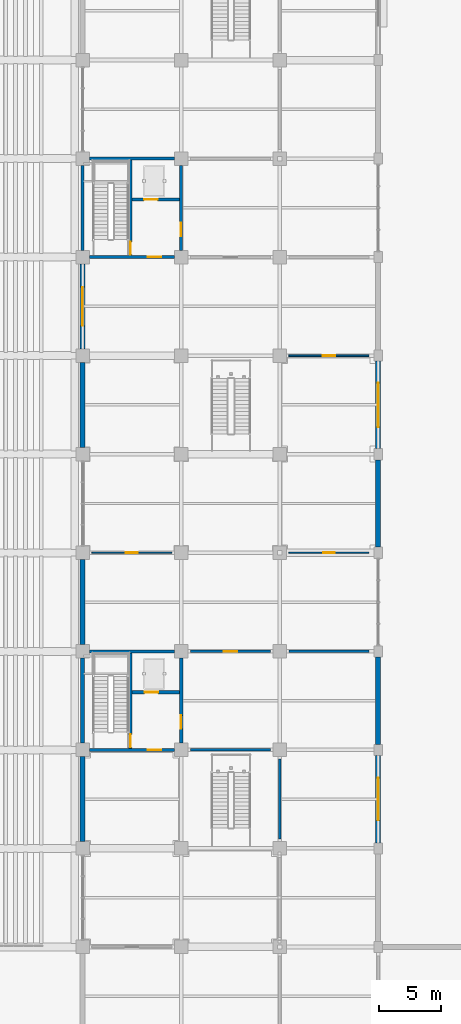
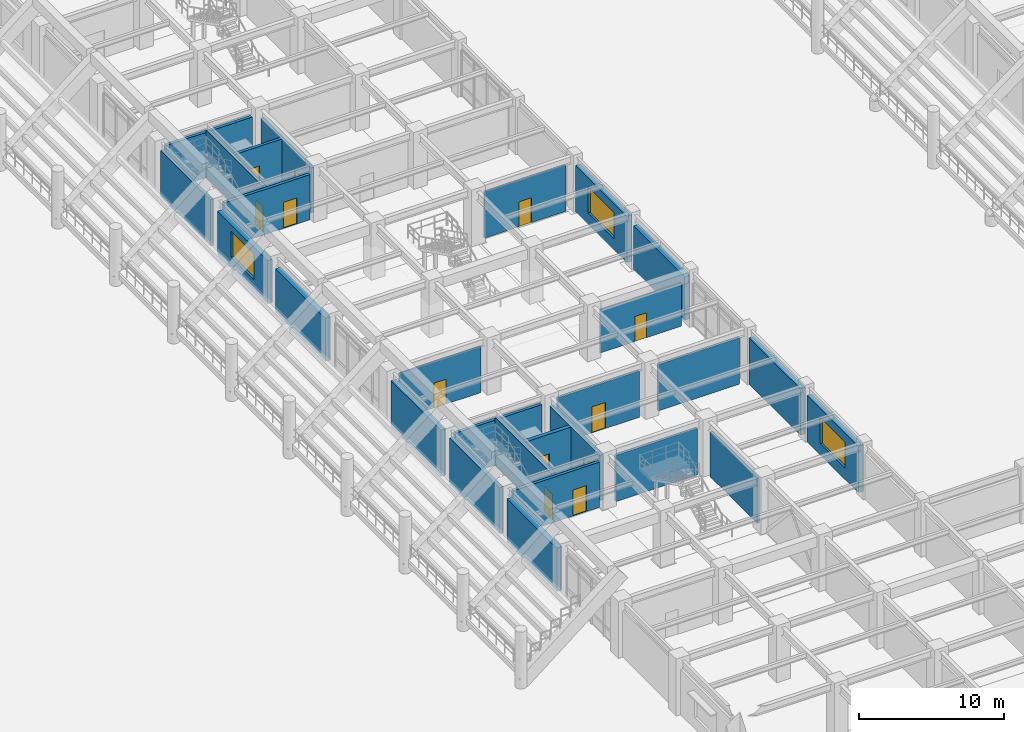
# One storey, part 84 of 125: 27 walls, 12 doors, 3 windows, 15 openings.
"""IFC4 building model written with IfcOpenShell, lengths in metres."""

from ifc_helpers import new_model, si_unit, direction, frame, frame_2d, origin, place, context, subcontext, project, spatial, rectangle, extrude, material, layer, layer_set, type_object, element, fill, save


model = new_model("IFC4")

# Units and contexts
model_context = context("Model", 3, precision=1e-05, world=origin(), true_north=direction((0.0, 1.0)))
body_context = subcontext(model_context, "Body", "Model", "MODEL_VIEW")
ifc_project = project(units=[si_unit("LENGTHUNIT", "METRE"), si_unit("AREAUNIT", "SQUARE_METRE"), si_unit("VOLUMEUNIT", "CUBIC_METRE"), si_unit("PLANEANGLEUNIT", "RADIAN"), si_unit("MASSUNIT", "GRAM", prefix="KILO")], contexts=[model_context])

# Site, building, storey
site_placement = place(None, origin())
site = spatial("IfcSite", under=ifc_project, at=site_placement, CompositionType="ELEMENT")
building_placement = place(site_placement, origin())
building = spatial("IfcBuilding", under=site, at=building_placement, Name="Haebicheon Civic Stadium", CompositionType="ELEMENT")
storey_placement = place(building_placement, origin())
storey = spatial("IfcBuildingStorey", under=building, at=storey_placement, Name="L01", CompositionType="ELEMENT", Elevation=0.0)

# Wall, opening, door
ifc_material_1 = material(Name="Concrete C40/50", Category="concrete")
ifc_layer_1 = layer(ifc_material_1, 0.239990234375, Name="Concrete C40/50")
ifc_layer_set_1 = layer_set([ifc_layer_1], Name="Concrete C40/50")
wall_type_1 = type_object("IfcWallType", Name="CW-SHR-240", PredefinedType="SHEAR", material=ifc_layer_set_1)
wall_1_placement = place(storey_placement, frame((144.550048828125, 64.0, 0.0), z_axis=(0.0, 0.0, 1.0), x_axis=(1.0, 0.0, 0.0)))
wall_1 = element("IfcWall", 1, at=wall_1_placement, inside=storey, type_object=wall_type_1, material=ifc_layer_set_1, Name="KC-10 L01 south core shear wall", PredefinedType="SHEAR", context=body_context, shape_type="SweptSolid", body=[
    extrude(rectangle(XDim=6.89990234375, YDim=0.239990234375, at=frame_2d((3.449951171875, 0.0))), origin(), (0.0, 0.0, 1.0), 3.81005859375),
])
opening_1_placement = place(wall_1_placement, frame((4.75, 0.0, 0.0)))
opening_1 = element("IfcOpeningElement", 2, at=opening_1_placement, cuts=wall_1, Name="Opening D-L01-KC-10-LOB", PredefinedType="OPENING", context=body_context, shape_type="SweptSolid", body=[
    extrude(rectangle(XDim=1.10009765625, YDim=2.199951171875, at=frame_2d((0.550048828125, 1.10009765625))), frame((0.0, 0.1298828125, 0.0), z_axis=(0.0, -1.0, 0.0), x_axis=(1.0, 0.0, 0.0)), (0.0, 0.0, 1.0), 0.260009765625),
])
ifc_material_2 = material(Name="Galvanised painted steel SM355", Category="steel")
door_type_1 = type_object("IfcDoorType", Name="ID-FD-1100", OperationType="NOTDEFINED", PredefinedType="DOOR", material=ifc_material_2)
door_1_placement = place(opening_1_placement, origin())
door_1 = element("IfcDoor", 3, at=door_1_placement, inside=storey, type_object=door_type_1, material=ifc_material_2, Name="L01 KC-10 lobby fire door", OperationType="SINGLE_SWING_RIGHT", OverallHeight=2.199951171875, OverallWidth=1.10009765625, PredefinedType="DOOR", context=body_context, shape_type="SweptSolid", body=[
    extrude(rectangle(XDim=1.10009765625, YDim=2.199951171875, at=frame_2d((0.550048828125, 1.10009765625))), frame((0.0, 0.02490234375, 0.0), z_axis=(0.0, -1.0, 0.0), x_axis=(1.0, 0.0, 0.0)), (0.0, 0.0, 1.0), 0.050048828125),
])
fill(opening_1, door_1)

# Wall
wall_2_placement = place(storey_placement, frame((144.550048828125, 72.0, 0.0), z_axis=(0.0, 0.0, 1.0), x_axis=(1.0, 0.0, 0.0)))
element("IfcWall", 4, at=wall_2_placement, inside=storey, type_object=wall_type_1, material=ifc_layer_set_1, Name="KC-10 L01 north core shear wall", PredefinedType="SHEAR", context=body_context, shape_type="SweptSolid", body=[
    extrude(rectangle(XDim=6.89990234375, YDim=0.239990234375, at=frame_2d((3.449951171875, 0.0))), origin(), (0.0, 0.0, 1.0), 3.81005859375),
])

# Wall, opening, door
wall_3_placement = place(storey_placement, frame((144.550048828125, 104.0, 0.0), z_axis=(0.0, 0.0, 1.0), x_axis=(1.0, 0.0, 0.0)))
wall_3 = element("IfcWall", 5, at=wall_3_placement, inside=storey, type_object=wall_type_1, material=ifc_layer_set_1, Name="KC-11 L01 south core shear wall", PredefinedType="SHEAR", context=body_context, shape_type="SweptSolid", body=[
    extrude(rectangle(XDim=6.89990234375, YDim=0.239990234375, at=frame_2d((3.449951171875, 0.0))), origin(), (0.0, 0.0, 1.0), 3.81005859375),
])
opening_2_placement = place(wall_3_placement, frame((4.75, 0.0, 0.0)))
opening_2 = element("IfcOpeningElement", 6, at=opening_2_placement, cuts=wall_3, Name="Opening D-L01-KC-11-LOB", PredefinedType="OPENING", context=body_context, shape_type="SweptSolid", body=[
    extrude(rectangle(XDim=1.10009765625, YDim=2.199951171875, at=frame_2d((0.550048828125, 1.10009765625))), frame((0.0, 0.1298828125, 0.0), z_axis=(0.0, -1.0, 0.0), x_axis=(1.0, 0.0, 0.0)), (0.0, 0.0, 1.0), 0.260009765625),
])
door_2_placement = place(opening_2_placement, origin())
door_2 = element("IfcDoor", 7, at=door_2_placement, inside=storey, type_object=door_type_1, material=ifc_material_2, Name="L01 KC-11 lobby fire door", OperationType="SINGLE_SWING_LEFT", OverallHeight=2.199951171875, OverallWidth=1.10009765625, PredefinedType="DOOR", context=body_context, shape_type="SweptSolid", body=[
    extrude(rectangle(XDim=1.10009765625, YDim=2.199951171875, at=frame_2d((0.550048828125, 1.10009765625))), frame((0.0, 0.02490234375, 0.0), z_axis=(0.0, -1.0, 0.0), x_axis=(1.0, 0.0, 0.0)), (0.0, 0.0, 1.0), 0.050048828125),
])
fill(opening_2, door_2)

# Walls
wall_4_placement = place(storey_placement, frame((144.550048828125, 112.0, 0.0), z_axis=(0.0, 0.0, 1.0), x_axis=(1.0, 0.0, 0.0)))
element("IfcWall", 8, at=wall_4_placement, inside=storey, type_object=wall_type_1, material=ifc_layer_set_1, Name="KC-11 L01 north core shear wall", PredefinedType="SHEAR", context=body_context, shape_type="SweptSolid", body=[
    extrude(rectangle(XDim=6.89990234375, YDim=0.239990234375, at=frame_2d((3.449951171875, 0.0))), origin(), (0.0, 0.0, 1.0), 3.81005859375),
])
wall_5_placement = place(storey_placement, frame((144.0, 104.550048828125, 0.0), z_axis=(0.0, 0.0, 1.0), x_axis=(0.0, 1.0, 0.0)))
element("IfcWall", 9, at=wall_5_placement, inside=storey, type_object=wall_type_1, material=ifc_layer_set_1, Name="KC-11 L01 west core shear wall", PredefinedType="SHEAR", context=body_context, shape_type="SweptSolid", body=[
    extrude(rectangle(XDim=6.89990234375, YDim=0.239990234375, at=frame_2d((3.449951171875, 0.0))), origin(), (0.0, 0.0, 1.0), 3.909912109375),
])

# Wall, opening, door
wall_6_placement = place(storey_placement, frame((152.0, 104.550048828125, 0.0), z_axis=(0.0, 0.0, 1.0), x_axis=(0.0, 1.0, 0.0)))
wall_6 = element("IfcWall", 10, at=wall_6_placement, inside=storey, type_object=wall_type_1, material=ifc_layer_set_1, Name="KC-11 L01 east core shear wall", PredefinedType="SHEAR", context=body_context, shape_type="SweptSolid", body=[
    extrude(rectangle(XDim=6.89990234375, YDim=0.239990234375, at=frame_2d((3.449951171875, 0.0))), origin(), (0.0, 0.0, 1.0), 3.81005859375),
])
opening_3_placement = place(wall_6_placement, frame((1.14990234375, 0.0, 0.0)))
opening_3 = element("IfcOpeningElement", 11, at=opening_3_placement, cuts=wall_6, Name="Opening D-L01-KC-11-PXP", PredefinedType="OPENING", context=body_context, shape_type="SweptSolid", body=[
    extrude(rectangle(XDim=1.10009765625, YDim=2.199951171875, at=frame_2d((0.550048828125, 1.10009765625))), frame((0.0, 0.1298828125, 0.0), z_axis=(0.0, -1.0, 0.0), x_axis=(1.0, 0.0, 0.0)), (0.0, 0.0, 1.0), 0.260009765625),
])
door_3_placement = place(opening_3_placement, origin())
door_3 = element("IfcDoor", 12, at=door_3_placement, inside=storey, type_object=door_type_1, material=ifc_material_2, Name="L01 KC-11 protected exit passage fire door", OperationType="SINGLE_SWING_RIGHT", OverallHeight=2.199951171875, OverallWidth=1.10009765625, PredefinedType="DOOR", context=body_context, shape_type="SweptSolid", body=[
    extrude(rectangle(XDim=1.10009765625, YDim=2.199951171875, at=frame_2d((0.550048828125, 1.10009765625))), frame((0.0, 0.02490234375, 0.0), z_axis=(0.0, -1.0, 0.0), x_axis=(1.0, 0.0, 0.0)), (0.0, 0.0, 1.0), 0.050048828125),
])
fill(opening_3, door_3)

wall_7_placement = place(storey_placement, frame((147.8798828125, 104.1201171875, 0.0), z_axis=(0.0, 0.0, 1.0), x_axis=(0.0, 1.0, 0.0)))
wall_7 = element("IfcWall", 13, at=wall_7_placement, inside=storey, type_object=wall_type_1, material=ifc_layer_set_1, Name="KC-11 L01 stair-lobby dividing shear wall", PredefinedType="SHEAR", context=body_context, shape_type="SweptSolid", body=[
    extrude(rectangle(XDim=7.759765625, YDim=0.239990234375, at=frame_2d((3.8798828125, 0.0))), origin(), (0.0, 0.0, 1.0), 4.010009765625),
])
opening_4_placement = place(wall_7_placement, frame((0.080078125, 0.0, 0.0)))
opening_4 = element("IfcOpeningElement", 14, at=opening_4_placement, cuts=wall_7, Name="Opening D-L01-KC-11-STR", PredefinedType="OPENING", context=body_context, shape_type="SweptSolid", body=[
    extrude(rectangle(XDim=1.050048828125, YDim=2.14990234375, at=frame_2d((0.52490234375, 1.074951171875))), frame((0.0, 0.1298828125, 0.0), z_axis=(0.0, -1.0, 0.0), x_axis=(1.0, 0.0, 0.0)), (0.0, 0.0, 1.0), 0.260009765625),
])
ifc_material_3 = material(Name="Galvanised painted steel SM355", Category="steel")
door_type_2 = type_object("IfcDoorType", Name="ID-FD-1050", OperationType="NOTDEFINED", PredefinedType="DOOR", material=ifc_material_3)
door_4_placement = place(opening_4_placement, origin())
door_4 = element("IfcDoor", 15, at=door_4_placement, inside=storey, type_object=door_type_2, material=ifc_material_3, Name="L01 ST-11 stairwell escape door", OperationType="SINGLE_SWING_LEFT", OverallHeight=2.14990234375, OverallWidth=1.050048828125, PredefinedType="DOOR", context=body_context, shape_type="SweptSolid", body=[
    extrude(rectangle(XDim=1.050048828125, YDim=2.14990234375, at=frame_2d((0.52490234375, 1.074951171875))), frame((0.0, 0.02490234375, 0.0), z_axis=(0.0, -1.0, 0.0), x_axis=(1.0, 0.0, 0.0)), (0.0, 0.0, 1.0), 0.050048828125),
])
fill(opening_4, door_4)

wall_8_placement = place(storey_placement, frame((148.0, 108.679931640625, 0.0), z_axis=(0.0, 0.0, 1.0), x_axis=(1.0, 0.0, 0.0)))
wall_8 = element("IfcWall", 16, at=wall_8_placement, inside=storey, type_object=wall_type_1, material=ifc_layer_set_1, Name="KC-11 L01 lift shaft front wall", PredefinedType="SHEAR", context=body_context, shape_type="SweptSolid", body=[
    extrude(rectangle(XDim=3.8798828125, YDim=0.239990234375, at=frame_2d((1.93994140625, 0.0))), origin(), (0.0, 0.0, 1.0), 3.81005859375),
])
opening_5_placement = place(wall_8_placement, frame((1.0, 0.0, 0.0)))
opening_5 = element("IfcOpeningElement", 17, at=opening_5_placement, cuts=wall_8, Name="Opening LD-08-L01", PredefinedType="OPENING", context=body_context, shape_type="SweptSolid", body=[
    extrude(rectangle(XDim=1.10009765625, YDim=2.14990234375, at=frame_2d((0.550048828125, 1.074951171875))), frame((0.0, 0.1298828125, 0.0), z_axis=(0.0, -1.0, 0.0), x_axis=(1.0, 0.0, 0.0)), (0.0, 0.0, 1.0), 0.260009765625),
])
ifc_material_4 = material(Name="Stainless steel 316", Category="steel")
door_type_3 = type_object("IfcDoorType", Name="ID-LD-1100", OperationType="NOTDEFINED", PredefinedType="DOOR", material=ifc_material_4)
door_5_placement = place(opening_5_placement, origin())
door_5 = element("IfcDoor", 18, at=door_5_placement, inside=storey, type_object=door_type_3, material=ifc_material_4, Name="LF-08 lift landing sliding door L01", OperationType="SLIDING_TO_LEFT", OverallHeight=2.14990234375, OverallWidth=1.10009765625, PredefinedType="DOOR", context=body_context, shape_type="SweptSolid", body=[
    extrude(rectangle(XDim=1.10009765625, YDim=2.14990234375, at=frame_2d((0.550048828125, 1.074951171875))), frame((0.0, 0.02490234375, 0.0), z_axis=(0.0, -1.0, 0.0), x_axis=(1.0, 0.0, 0.0)), (0.0, 0.0, 1.0), 0.050048828125),
])
fill(opening_5, door_5)

# Wall
ifc_material_5 = material(Name="Concrete C40/50", Category="concrete")
ifc_layer_2 = layer(ifc_material_5, 0.300048828125, Name="Concrete C40/50")
ifc_layer_set_2 = layer_set([ifc_layer_2], Name="Concrete C40/50")
wall_type_2 = type_object("IfcWallType", Name="CW-SHR-300", PredefinedType="SHEAR", material=ifc_layer_set_2)
wall_9_placement = place(storey_placement, frame((144.0, 64.550048828125, 0.0), z_axis=(0.0, 0.0, 1.0), x_axis=(0.0, 1.0, 0.0)))
element("IfcWall", 19, at=wall_9_placement, inside=storey, type_object=wall_type_2, material=ifc_layer_set_2, Name="KC-10 L01 west core shear wall", PredefinedType="SHEAR", context=body_context, shape_type="SweptSolid", body=[
    extrude(rectangle(XDim=6.89990234375, YDim=0.300048828125, at=frame_2d((3.449951171875, 0.0))), origin(), (0.0, 0.0, 1.0), 3.909912109375),
])

# Wall, opening, door
wall_10_placement = place(storey_placement, frame((152.0, 64.550048828125, 0.0), z_axis=(0.0, 0.0, 1.0), x_axis=(0.0, 1.0, 0.0)))
wall_10 = element("IfcWall", 20, at=wall_10_placement, inside=storey, type_object=wall_type_2, material=ifc_layer_set_2, Name="KC-10 L01 east core shear wall", PredefinedType="SHEAR", context=body_context, shape_type="SweptSolid", body=[
    extrude(rectangle(XDim=6.89990234375, YDim=0.300048828125, at=frame_2d((3.449951171875, 0.0))), origin(), (0.0, 0.0, 1.0), 3.81005859375),
])
opening_6_placement = place(wall_10_placement, frame((1.14990234375, 0.0, 0.0)))
opening_6 = element("IfcOpeningElement", 21, at=opening_6_placement, cuts=wall_10, Name="Opening D-L01-KC-10-PXP", PredefinedType="OPENING", context=body_context, shape_type="SweptSolid", body=[
    extrude(rectangle(XDim=1.10009765625, YDim=2.199951171875, at=frame_2d((0.550048828125, 1.10009765625))), frame((0.0, 0.159912109375, 0.0), z_axis=(0.0, -1.0, 0.0), x_axis=(1.0, 0.0, 0.0)), (0.0, 0.0, 1.0), 0.320068359375),
])
door_6_placement = place(opening_6_placement, origin())
door_6 = element("IfcDoor", 22, at=door_6_placement, inside=storey, type_object=door_type_1, material=ifc_material_2, Name="L01 KC-10 protected exit passage fire door", OperationType="SINGLE_SWING_LEFT", OverallHeight=2.199951171875, OverallWidth=1.10009765625, PredefinedType="DOOR", context=body_context, shape_type="SweptSolid", body=[
    extrude(rectangle(XDim=1.10009765625, YDim=2.199951171875, at=frame_2d((0.550048828125, 1.10009765625))), frame((0.0, 0.02490234375, 0.0), z_axis=(0.0, -1.0, 0.0), x_axis=(1.0, 0.0, 0.0)), (0.0, 0.0, 1.0), 0.050048828125),
])
fill(opening_6, door_6)

wall_11_placement = place(storey_placement, frame((147.8798828125, 64.1201171875, 0.0), z_axis=(0.0, 0.0, 1.0), x_axis=(0.0, 1.0, 0.0)))
wall_11 = element("IfcWall", 23, at=wall_11_placement, inside=storey, type_object=wall_type_2, material=ifc_layer_set_2, Name="KC-10 L01 stair-lobby dividing shear wall", PredefinedType="SHEAR", context=body_context, shape_type="SweptSolid", body=[
    extrude(rectangle(XDim=7.759765625, YDim=0.300048828125, at=frame_2d((3.8798828125, 0.0))), origin(), (0.0, 0.0, 1.0), 4.010009765625),
])
opening_7_placement = place(wall_11_placement, frame((0.080078125, 0.0, 0.0)))
opening_7 = element("IfcOpeningElement", 24, at=opening_7_placement, cuts=wall_11, Name="Opening D-L01-KC-10-STR", PredefinedType="OPENING", context=body_context, shape_type="SweptSolid", body=[
    extrude(rectangle(XDim=1.050048828125, YDim=2.14990234375, at=frame_2d((0.52490234375, 1.074951171875))), frame((0.0, 0.159912109375, 0.0), z_axis=(0.0, -1.0, 0.0), x_axis=(1.0, 0.0, 0.0)), (0.0, 0.0, 1.0), 0.320068359375),
])
door_7_placement = place(opening_7_placement, origin())
door_7 = element("IfcDoor", 25, at=door_7_placement, inside=storey, type_object=door_type_2, material=ifc_material_3, Name="L01 ST-10 stairwell escape door", OperationType="SINGLE_SWING_RIGHT", OverallHeight=2.14990234375, OverallWidth=1.050048828125, PredefinedType="DOOR", context=body_context, shape_type="SweptSolid", body=[
    extrude(rectangle(XDim=1.050048828125, YDim=2.14990234375, at=frame_2d((0.52490234375, 1.074951171875))), frame((0.0, 0.02490234375, 0.0), z_axis=(0.0, -1.0, 0.0), x_axis=(1.0, 0.0, 0.0)), (0.0, 0.0, 1.0), 0.050048828125),
])
fill(opening_7, door_7)

wall_12_placement = place(storey_placement, frame((148.030029296875, 68.679931640625, 0.0), z_axis=(0.0, 0.0, 1.0), x_axis=(1.0, 0.0, 0.0)))
wall_12 = element("IfcWall", 26, at=wall_12_placement, inside=storey, type_object=wall_type_2, material=ifc_layer_set_2, Name="KC-10 L01 lift shaft front wall", PredefinedType="SHEAR", context=body_context, shape_type="SweptSolid", body=[
    extrude(rectangle(XDim=3.820068359375, YDim=0.300048828125, at=frame_2d((1.91015625, 0.0))), origin(), (0.0, 0.0, 1.0), 3.81005859375),
])
opening_8_placement = place(wall_12_placement, frame((1.0, 0.0, 0.0)))
opening_8 = element("IfcOpeningElement", 27, at=opening_8_placement, cuts=wall_12, Name="Opening LD-07-L01", PredefinedType="OPENING", context=body_context, shape_type="SweptSolid", body=[
    extrude(rectangle(XDim=1.10009765625, YDim=2.14990234375, at=frame_2d((0.550048828125, 1.074951171875))), frame((0.0, 0.159912109375, 0.0), z_axis=(0.0, -1.0, 0.0), x_axis=(1.0, 0.0, 0.0)), (0.0, 0.0, 1.0), 0.320068359375),
])
door_8_placement = place(opening_8_placement, origin())
door_8 = element("IfcDoor", 28, at=door_8_placement, inside=storey, type_object=door_type_3, material=ifc_material_4, Name="LF-07 lift landing sliding door L01", OperationType="SLIDING_TO_LEFT", OverallHeight=2.14990234375, OverallWidth=1.10009765625, PredefinedType="DOOR", context=body_context, shape_type="SweptSolid", body=[
    extrude(rectangle(XDim=1.10009765625, YDim=2.14990234375, at=frame_2d((0.550048828125, 1.074951171875))), frame((0.0, 0.02490234375, 0.0), z_axis=(0.0, -1.0, 0.0), x_axis=(1.0, 0.0, 0.0)), (0.0, 0.0, 1.0), 0.050048828125),
])
fill(opening_8, door_8)

# Walls
ifc_material_6 = material(Name="Concrete C40/50", Category="concrete")
ifc_layer_3 = layer(ifc_material_6, 0.39990234375, Name="Concrete C40/50")
ifc_layer_set_3 = layer_set([ifc_layer_3], Name="Concrete C40/50")
wall_type_3 = type_object("IfcWallType", Name="EW-BM-400", PredefinedType="SOLIDWALL", material=ifc_layer_set_3)
wall_13_placement = place(storey_placement, frame((144.0, 56.550048828125, 0.0), z_axis=(0.0, 0.0, 1.0), x_axis=(0.0, 1.0, 0.0)))
element("IfcWall", 29, at=wall_13_placement, inside=storey, type_object=wall_type_3, material=ifc_layer_set_3, Name="L01 board-marked concrete facade wall 18-07-W", PredefinedType="SOLIDWALL", context=body_context, shape_type="SweptSolid", body=[
    extrude(rectangle(XDim=6.89990234375, YDim=0.39990234375, at=frame_2d((3.449951171875, 0.0))), origin(), (0.0, 0.0, 1.0), 3.659912109375),
])
wall_14_placement = place(storey_placement, frame((144.0, 72.550048828125, 0.0), z_axis=(0.0, 0.0, 1.0), x_axis=(0.0, 1.0, 0.0)))
element("IfcWall", 30, at=wall_14_placement, inside=storey, type_object=wall_type_3, material=ifc_layer_set_3, Name="L01 board-marked concrete facade wall 18-09-W", PredefinedType="SOLIDWALL", context=body_context, shape_type="SweptSolid", body=[
    extrude(rectangle(XDim=6.89990234375, YDim=0.39990234375, at=frame_2d((3.449951171875, 0.0))), origin(), (0.0, 0.0, 1.0), 3.909912109375),
])
wall_15_placement = place(storey_placement, frame((144.0, 88.550048828125, 0.0), z_axis=(0.0, 0.0, 1.0), x_axis=(0.0, 1.0, 0.0)))
element("IfcWall", 31, at=wall_15_placement, inside=storey, type_object=wall_type_3, material=ifc_layer_set_3, Name="L01 board-marked concrete facade wall 18-11-W", PredefinedType="SOLIDWALL", context=body_context, shape_type="SweptSolid", body=[
    extrude(rectangle(XDim=6.89990234375, YDim=0.39990234375, at=frame_2d((3.449951171875, 0.0))), origin(), (0.0, 0.0, 1.0), 3.659912109375),
])

# Wall, opening, window
wall_16_placement = place(storey_placement, frame((144.0, 96.550048828125, 0.0), z_axis=(0.0, 0.0, 1.0), x_axis=(0.0, 1.0, 0.0)))
wall_16 = element("IfcWall", 32, at=wall_16_placement, inside=storey, type_object=wall_type_3, material=ifc_layer_set_3, Name="L01 board-marked concrete facade wall 18-12-W", PredefinedType="SOLIDWALL", context=body_context, shape_type="SweptSolid", body=[
    extrude(rectangle(XDim=6.89990234375, YDim=0.39990234375, at=frame_2d((3.449951171875, 0.0))), origin(), (0.0, 0.0, 1.0), 3.659912109375),
])
opening_9_placement = place(wall_16_placement, frame((1.875, 0.0, 0.949951171875)))
opening_9 = element("IfcOpeningElement", 33, at=opening_9_placement, cuts=wall_16, Name="Opening WIN-315x215", PredefinedType="OPENING", context=body_context, shape_type="SweptSolid", body=[
    extrude(rectangle(XDim=3.14990234375, YDim=2.14990234375, at=frame_2d((1.574951171875, 1.074951171875))), frame((0.0, 0.2099609375, 0.0), z_axis=(0.0, -1.0, 0.0), x_axis=(1.0, 0.0, 0.0)), (0.0, 0.0, 1.0), 0.419921875),
])
ifc_material_7 = material(Name="Anodised aluminium and laminated glass", Category="aluminium")
window_type_1 = type_object("IfcWindowType", Name="WIN-315x215", PartitioningType="SINGLE_PANEL", PredefinedType="WINDOW", material=ifc_material_7)
window_1_placement = place(opening_9_placement, origin())
window_1 = element("IfcWindow", 34, at=window_1_placement, inside=storey, type_object=window_type_1, material=ifc_material_7, Name="L01 facade window 016", OverallHeight=2.14990234375, OverallWidth=3.14990234375, PartitioningType="SINGLE_PANEL", PredefinedType="WINDOW", context=body_context, shape_type="SweptSolid", body=[
    extrude(rectangle(XDim=3.14990234375, YDim=2.14990234375, at=frame_2d((1.574951171875, 1.074951171875))), frame((0.0, 0.030029296875, 0.0), z_axis=(0.0, -1.0, 0.0), x_axis=(1.0, 0.0, 0.0)), (0.0, 0.0, 1.0), 0.06005859375),
])
fill(opening_9, window_1)

wall_17_placement = place(storey_placement, frame((168.0, 56.449951171875, 0.0), z_axis=(0.0, 0.0, 1.0), x_axis=(0.0, 1.0, 0.0)))
wall_17 = element("IfcWall", 35, at=wall_17_placement, inside=storey, type_object=wall_type_3, material=ifc_layer_set_3, Name="L01 board-marked concrete facade wall 21-07-E", PredefinedType="SOLIDWALL", context=body_context, shape_type="SweptSolid", body=[
    extrude(rectangle(XDim=7.10009765625, YDim=0.39990234375, at=frame_2d((3.550048828125, 0.0))), origin(), (0.0, 0.0, 1.0), 3.909912109375),
])
opening_10_placement = place(wall_17_placement, frame((1.824951171875, 0.0, 0.949951171875)))
opening_10 = element("IfcOpeningElement", 36, at=opening_10_placement, cuts=wall_17, Name="Opening WIN-345x220", PredefinedType="OPENING", context=body_context, shape_type="SweptSolid", body=[
    extrude(rectangle(XDim=3.449951171875, YDim=2.199951171875, at=frame_2d((1.72509765625, 1.10009765625))), frame((0.0, 0.2099609375, 0.0), z_axis=(0.0, -1.0, 0.0), x_axis=(1.0, 0.0, 0.0)), (0.0, 0.0, 1.0), 0.419921875),
])
ifc_material_8 = material(Name="Anodised aluminium and laminated glass", Category="aluminium")
window_type_2 = type_object("IfcWindowType", Name="WIN-345x220", PartitioningType="SINGLE_PANEL", PredefinedType="WINDOW", material=ifc_material_8)
window_2_placement = place(opening_10_placement, origin())
window_2 = element("IfcWindow", 37, at=window_2_placement, inside=storey, type_object=window_type_2, material=ifc_material_8, Name="L01 facade window 018", OverallHeight=2.199951171875, OverallWidth=3.449951171875, PartitioningType="SINGLE_PANEL", PredefinedType="WINDOW", context=body_context, shape_type="SweptSolid", body=[
    extrude(rectangle(XDim=3.449951171875, YDim=2.199951171875, at=frame_2d((1.72509765625, 1.10009765625))), frame((0.0, 0.030029296875, 0.0), z_axis=(0.0, -1.0, 0.0), x_axis=(1.0, 0.0, 0.0)), (0.0, 0.0, 1.0), 0.06005859375),
])
fill(opening_10, window_2)

# Walls
wall_18_placement = place(storey_placement, frame((168.0, 64.449951171875, 0.0), z_axis=(0.0, 0.0, 1.0), x_axis=(0.0, 1.0, 0.0)))
element("IfcWall", 38, at=wall_18_placement, inside=storey, type_object=wall_type_3, material=ifc_layer_set_3, Name="L01 board-marked concrete facade wall 21-08-E", PredefinedType="SOLIDWALL", context=body_context, shape_type="SweptSolid", body=[
    extrude(rectangle(XDim=7.10009765625, YDim=0.39990234375, at=frame_2d((3.550048828125, 0.0))), origin(), (0.0, 0.0, 1.0), 3.909912109375),
])
wall_19_placement = place(storey_placement, frame((168.0, 80.449951171875, 0.0), z_axis=(0.0, 0.0, 1.0), x_axis=(0.0, 1.0, 0.0)))
element("IfcWall", 39, at=wall_19_placement, inside=storey, type_object=wall_type_3, material=ifc_layer_set_3, Name="L01 board-marked concrete facade wall 21-10-E", PredefinedType="SOLIDWALL", context=body_context, shape_type="SweptSolid", body=[
    extrude(rectangle(XDim=7.10009765625, YDim=0.39990234375, at=frame_2d((3.550048828125, 0.0))), origin(), (0.0, 0.0, 1.0), 3.659912109375),
])

# Wall, opening, window
wall_20_placement = place(storey_placement, frame((168.0, 88.449951171875, 0.0), z_axis=(0.0, 0.0, 1.0), x_axis=(0.0, 1.0, 0.0)))
wall_20 = element("IfcWall", 40, at=wall_20_placement, inside=storey, type_object=wall_type_3, material=ifc_layer_set_3, Name="L01 board-marked concrete facade wall 21-11-E", PredefinedType="SOLIDWALL", context=body_context, shape_type="SweptSolid", body=[
    extrude(rectangle(XDim=7.10009765625, YDim=0.39990234375, at=frame_2d((3.550048828125, 0.0))), origin(), (0.0, 0.0, 1.0), 3.909912109375),
])
opening_11_placement = place(wall_20_placement, frame((1.75, 0.0, 0.949951171875)))
opening_11 = element("IfcOpeningElement", 41, at=opening_11_placement, cuts=wall_20, Name="Opening WIN-360x220", PredefinedType="OPENING", context=body_context, shape_type="SweptSolid", body=[
    extrude(rectangle(XDim=3.60009765625, YDim=2.199951171875, at=frame_2d((1.800048828125, 1.10009765625))), frame((0.0, 0.2099609375, 0.0), z_axis=(0.0, -1.0, 0.0), x_axis=(1.0, 0.0, 0.0)), (0.0, 0.0, 1.0), 0.419921875),
])
ifc_material_9 = material(Name="Anodised aluminium and laminated glass", Category="aluminium")
window_type_3 = type_object("IfcWindowType", Name="WIN-360x220", PartitioningType="SINGLE_PANEL", PredefinedType="WINDOW", material=ifc_material_9)
window_3_placement = place(opening_11_placement, origin())
window_3 = element("IfcWindow", 42, at=window_3_placement, inside=storey, type_object=window_type_3, material=ifc_material_9, Name="L01 facade window 019", OverallHeight=2.199951171875, OverallWidth=3.60009765625, PartitioningType="SINGLE_PANEL", PredefinedType="WINDOW", context=body_context, shape_type="SweptSolid", body=[
    extrude(rectangle(XDim=3.60009765625, YDim=2.199951171875, at=frame_2d((1.800048828125, 1.10009765625))), frame((0.0, 0.030029296875, 0.0), z_axis=(0.0, -1.0, 0.0), x_axis=(1.0, 0.0, 0.0)), (0.0, 0.0, 1.0), 0.06005859375),
])
fill(opening_11, window_3)

# Wall
ifc_material_10 = material(Name="Concrete C35/45", Category="concrete")
ifc_layer_4 = layer(ifc_material_10, 0.199951171875, Name="Concrete C35/45")
ifc_layer_set_4 = layer_set([ifc_layer_4], Name="Concrete C35/45")
wall_type_4 = type_object("IfcWallType", Name="IW-FIR-200", PredefinedType="PARTITIONING", material=ifc_layer_set_4)
wall_21_placement = place(storey_placement, frame((152.75, 64.0, 0.0), z_axis=(0.0, 0.0, 1.0), x_axis=(1.0, 0.0, 0.0)))
element("IfcWall", 43, at=wall_21_placement, inside=storey, type_object=wall_type_4, material=ifc_layer_set_4, Name="L01 KC-10 protected exit passage EI 120 wall 01", PredefinedType="PARTITIONING", context=body_context, shape_type="SweptSolid", body=[
    extrude(rectangle(XDim=6.5, YDim=0.199951171875, at=frame_2d((3.25, 0.0))), origin(), (0.0, 0.0, 1.0), 3.909912109375),
])

# Wall, opening, door
wall_22_placement = place(storey_placement, frame((152.75, 72.0, 0.0), z_axis=(0.0, 0.0, 1.0), x_axis=(1.0, 0.0, 0.0)))
wall_22 = element("IfcWall", 44, at=wall_22_placement, inside=storey, type_object=wall_type_4, material=ifc_layer_set_4, Name="L01 KC-10 protected exit passage EI 120 wall 02", PredefinedType="PARTITIONING", context=body_context, shape_type="SweptSolid", body=[
    extrude(rectangle(XDim=6.5, YDim=0.199951171875, at=frame_2d((3.25, 0.0))), origin(), (0.0, 0.0, 1.0), 3.909912109375),
])
opening_12_placement = place(wall_22_placement, frame((2.699951171875, 0.0, 0.0)))
opening_12 = element("IfcOpeningElement", 45, at=opening_12_placement, cuts=wall_22, Name="Opening D-L01-PXP-14", PredefinedType="OPENING", context=body_context, shape_type="SweptSolid", body=[
    extrude(rectangle(XDim=1.10009765625, YDim=2.199951171875, at=frame_2d((0.550048828125, 1.10009765625))), frame((0.0, 0.10986328125, 0.0), z_axis=(0.0, -1.0, 0.0), x_axis=(1.0, 0.0, 0.0)), (0.0, 0.0, 1.0), 0.219970703125),
])
door_9_placement = place(opening_12_placement, origin())
door_9 = element("IfcDoor", 46, at=door_9_placement, inside=storey, type_object=door_type_1, material=ifc_material_2, Name="L01 KC-10 protected exit passage lobby fire door", OperationType="SINGLE_SWING_RIGHT", OverallHeight=2.199951171875, OverallWidth=1.10009765625, PredefinedType="DOOR", context=body_context, shape_type="SweptSolid", body=[
    extrude(rectangle(XDim=1.10009765625, YDim=2.199951171875, at=frame_2d((0.550048828125, 1.10009765625))), frame((0.0, 0.02490234375, 0.0), z_axis=(0.0, -1.0, 0.0), x_axis=(1.0, 0.0, 0.0)), (0.0, 0.0, 1.0), 0.050048828125),
])
fill(opening_12, door_9)

# Walls
wall_23_placement = place(storey_placement, frame((160.0, 56.75, 0.0), z_axis=(0.0, 0.0, 1.0), x_axis=(0.0, 1.0, 0.0)))
element("IfcWall", 47, at=wall_23_placement, inside=storey, type_object=wall_type_4, material=ifc_layer_set_4, Name="L01 KC-10 protected exit passage EI 120 wall 15", PredefinedType="PARTITIONING", context=body_context, shape_type="SweptSolid", body=[
    extrude(rectangle(XDim=6.5, YDim=0.199951171875, at=frame_2d((3.25, 0.0))), origin(), (0.0, 0.0, 1.0), 3.81005859375),
])
wall_24_placement = place(storey_placement, frame((160.75, 72.0, 0.0), z_axis=(0.0, 0.0, 1.0), x_axis=(1.0, 0.0, 0.0)))
element("IfcWall", 48, at=wall_24_placement, inside=storey, type_object=wall_type_4, material=ifc_layer_set_4, Name="L01 KC-10 protected exit passage EI 120 wall 16", PredefinedType="PARTITIONING", context=body_context, shape_type="SweptSolid", body=[
    extrude(rectangle(XDim=6.5, YDim=0.199951171875, at=frame_2d((3.25, 0.0))), origin(), (0.0, 0.0, 1.0), 3.909912109375),
])

# Wall, opening, door
ifc_material_11 = material(Name="Anodised aluminium acoustic panel", Category="aluminium")
ifc_layer_5 = layer(ifc_material_11, 0.139892578125, Name="Anodised aluminium acoustic panel")
ifc_layer_set_5 = layer_set([ifc_layer_5], Name="Anodised aluminium acoustic panel")
wall_type_5 = type_object("IfcWallType", Name="IW-MOV-140", PredefinedType="MOVABLE", material=ifc_layer_set_5)
wall_25_placement = place(storey_placement, frame((160.75, 96.0, 0.0), z_axis=(0.0, 0.0, 1.0), x_axis=(1.0, 0.0, 0.0)))
wall_25 = element("IfcWall", 49, at=wall_25_placement, inside=storey, type_object=wall_type_5, material=ifc_layer_set_5, Name="L01 Civic Sports Exhibition Gallery partition wall", PredefinedType="MOVABLE", context=body_context, shape_type="SweptSolid", body=[
    extrude(rectangle(XDim=6.5, YDim=0.139892578125, at=frame_2d((3.25, 0.0))), origin(), (0.0, 0.0, 1.0), 3.909912109375),
])
opening_13_placement = place(wall_25_placement, frame((2.75, 0.0, 0.0)))
opening_13 = element("IfcOpeningElement", 50, at=opening_13_placement, cuts=wall_25, Name="Opening D-L01-156", PredefinedType="OPENING", context=body_context, shape_type="SweptSolid", body=[
    extrude(rectangle(XDim=1.0, YDim=2.10009765625, at=frame_2d((0.5, 1.050048828125))), frame((0.0, 0.079833984375, 0.0), z_axis=(0.0, -1.0, 0.0), x_axis=(1.0, 0.0, 0.0)), (0.0, 0.0, 1.0), 0.159912109375),
])
ifc_material_12 = material(Name="Engineered hardwood timber", Category="wood")
door_type_4 = type_object("IfcDoorType", Name="ID-RM-1000", OperationType="NOTDEFINED", PredefinedType="DOOR", material=ifc_material_12)
door_10_placement = place(opening_13_placement, origin())
door_10 = element("IfcDoor", 51, at=door_10_placement, inside=storey, type_object=door_type_4, material=ifc_material_12, Name="L01 Civic Sports Exhibition Gallery entrance door D-L01-156", OperationType="SINGLE_SWING_LEFT", OverallHeight=2.10009765625, OverallWidth=1.0, PredefinedType="DOOR", context=body_context, shape_type="SweptSolid", body=[
    extrude(rectangle(XDim=1.0, YDim=2.10009765625, at=frame_2d((0.5, 1.050048828125))), frame((0.0, 0.02490234375, 0.0), z_axis=(0.0, -1.0, 0.0), x_axis=(1.0, 0.0, 0.0)), (0.0, 0.0, 1.0), 0.050048828125),
])
fill(opening_13, door_10)

ifc_material_13 = material(Name="Anodised aluminium and laminated glass", Category="aluminium")
ifc_layer_6 = layer(ifc_material_13, 0.10009765625, Name="Anodised aluminium and laminated glass")
ifc_layer_set_6 = layer_set([ifc_layer_6], Name="Anodised aluminium and laminated glass")
wall_type_6 = type_object("IfcWallType", Name="IW-PRT-100", PredefinedType="PARTITIONING", material=ifc_layer_set_6)
wall_26_placement = place(storey_placement, frame((144.75, 80.0, 0.0), z_axis=(0.0, 0.0, 1.0), x_axis=(1.0, 0.0, 0.0)))
wall_26 = element("IfcWall", 52, at=wall_26_placement, inside=storey, type_object=wall_type_6, material=ifc_layer_set_6, Name="L01 Steward Operations Briefing Room partition wall", PredefinedType="PARTITIONING", context=body_context, shape_type="SweptSolid", body=[
    extrude(rectangle(XDim=6.5, YDim=0.10009765625, at=frame_2d((3.25, 0.0))), origin(), (0.0, 0.0, 1.0), 3.909912109375),
])
opening_14_placement = place(wall_26_placement, frame((2.77490234375, 0.0, 0.0)))
opening_14 = element("IfcOpeningElement", 53, at=opening_14_placement, cuts=wall_26, Name="Opening D-L01-137", PredefinedType="OPENING", context=body_context, shape_type="SweptSolid", body=[
    extrude(rectangle(XDim=0.949951171875, YDim=2.10009765625, at=frame_2d((0.47509765625, 1.050048828125))), frame((0.0, 0.06005859375, 0.0), z_axis=(0.0, -1.0, 0.0), x_axis=(1.0, 0.0, 0.0)), (0.0, 0.0, 1.0), 0.1201171875),
])
ifc_material_14 = material(Name="Engineered hardwood timber", Category="wood")
door_type_5 = type_object("IfcDoorType", Name="ID-RM-0950", OperationType="NOTDEFINED", PredefinedType="DOOR", material=ifc_material_14)
door_11_placement = place(opening_14_placement, origin())
door_11 = element("IfcDoor", 54, at=door_11_placement, inside=storey, type_object=door_type_5, material=ifc_material_14, Name="L01 Steward Operations Briefing Room entrance door D-L01-137", OperationType="SINGLE_SWING_LEFT", OverallHeight=2.10009765625, OverallWidth=0.949951171875, PredefinedType="DOOR", context=body_context, shape_type="SweptSolid", body=[
    extrude(rectangle(XDim=0.949951171875, YDim=2.10009765625, at=frame_2d((0.47509765625, 1.050048828125))), frame((0.0, 0.02490234375, 0.0), z_axis=(0.0, -1.0, 0.0), x_axis=(1.0, 0.0, 0.0)), (0.0, 0.0, 1.0), 0.050048828125),
])
fill(opening_14, door_11)

wall_27_placement = place(storey_placement, frame((160.75, 80.0, 0.0), z_axis=(0.0, 0.0, 1.0), x_axis=(1.0, 0.0, 0.0)))
wall_27 = element("IfcWall", 55, at=wall_27_placement, inside=storey, type_object=wall_type_6, material=ifc_layer_set_6, Name="L01 Hospitality Welcome Lounge partition wall", PredefinedType="PARTITIONING", context=body_context, shape_type="SweptSolid", body=[
    extrude(rectangle(XDim=6.5, YDim=0.10009765625, at=frame_2d((3.25, 0.0))), origin(), (0.0, 0.0, 1.0), 3.659912109375),
])
opening_15_placement = place(wall_27_placement, frame((2.77490234375, 0.0, 0.0)))
opening_15 = element("IfcOpeningElement", 56, at=opening_15_placement, cuts=wall_27, Name="Opening D-L01-155", PredefinedType="OPENING", context=body_context, shape_type="SweptSolid", body=[
    extrude(rectangle(XDim=0.949951171875, YDim=2.10009765625, at=frame_2d((0.47509765625, 1.050048828125))), frame((0.0, 0.06005859375, 0.0), z_axis=(0.0, -1.0, 0.0), x_axis=(1.0, 0.0, 0.0)), (0.0, 0.0, 1.0), 0.1201171875),
])
door_12_placement = place(opening_15_placement, origin())
door_12 = element("IfcDoor", 57, at=door_12_placement, inside=storey, type_object=door_type_5, material=ifc_material_14, Name="L01 Hospitality Welcome Lounge entrance door D-L01-155", OperationType="SINGLE_SWING_RIGHT", OverallHeight=2.10009765625, OverallWidth=0.949951171875, PredefinedType="DOOR", context=body_context, shape_type="SweptSolid", body=[
    extrude(rectangle(XDim=0.949951171875, YDim=2.10009765625, at=frame_2d((0.47509765625, 1.050048828125))), frame((0.0, 0.02490234375, 0.0), z_axis=(0.0, -1.0, 0.0), x_axis=(1.0, 0.0, 0.0)), (0.0, 0.0, 1.0), 0.050048828125),
])
fill(opening_15, door_12)

save(model, "model.ifc")
